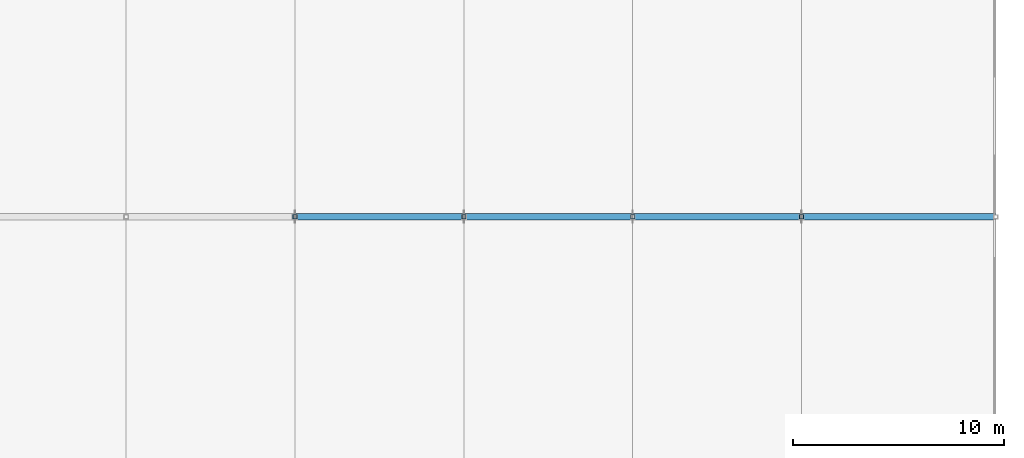
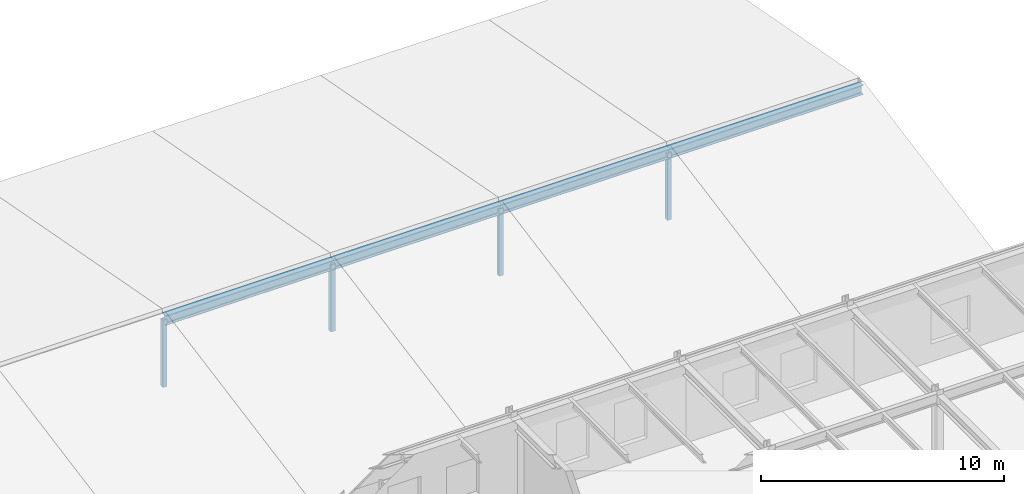
# One storey, part 28 of 63: 4 beams, 4 members.
"""IFC4 building model written with IfcOpenShell, lengths in metres."""

from ifc_helpers import new_model, si_unit, direction, frame, origin, origin_2d, place, context, subcontext, project, spatial, hollow_rectangle, i_section, extrude, material, material_profile, profile_set, type_object, element, save


model = new_model("IFC4")

# Units and contexts
model_context = context("Model", 3, precision=1e-05, world=origin(), true_north=direction((0.0, 1.0)))
body_context = subcontext(model_context, "Body", "Model", "MODEL_VIEW")
ifc_project = project(units=[si_unit("LENGTHUNIT", "METRE"), si_unit("AREAUNIT", "SQUARE_METRE"), si_unit("VOLUMEUNIT", "CUBIC_METRE"), si_unit("PLANEANGLEUNIT", "RADIAN"), si_unit("MASSUNIT", "GRAM", prefix="KILO")], contexts=[model_context])

# Site, building, storey
site_placement = place(None, origin())
site = spatial("IfcSite", under=ifc_project, at=site_placement, CompositionType="ELEMENT")
building_placement = place(site_placement, origin())
building = spatial("IfcBuilding", under=site, at=building_placement, Name="Valkorina Park Police Headquarters", CompositionType="ELEMENT")
storey_placement = place(building_placement, frame((0.0, 0.0, 9.89990234375)))
storey = spatial("IfcBuildingStorey", under=building, at=storey_placement, Name="L03", CompositionType="ELEMENT", Elevation=9.89990234375)

# Beams
ifc_material = material(Name="Steel S355", Category="steel")
ifc_material_profile_1 = material_profile(ifc_material, i_section(OverallWidth=0.300048828125, OverallDepth=0.489990234375, WebThickness=0.011962890625, FlangeThickness=0.02294921875, FilletRadius=0.027099609375, at=origin_2d()), Name="HEA 500")
ifc_profile_set_1 = profile_set([ifc_material_profile_1], Name="Steel S355")
beam_type = type_object("IfcBeamType", Name="BM-S355-HEA500-SPN", PredefinedType="SPANDREL", material=ifc_profile_set_1)
for number, where, z_axis, x_axis, name in (
    (1, (128.800048828125, 96.199951171875, 2.565185546875), (1.0, 0.0, 0.0), (0.0, 1.0, 0.0), "V3 Gymnasium Roof Ridge Beam 128"),
    (2, (136.800048828125, 96.199951171875, 2.565185546875), (1.0, 0.0, 0.0), (0.0, 1.0, 0.0), "V3 Gymnasium Roof Ridge Beam 136"),
    (3, (144.800048828125, 96.199951171875, 2.565185546875), (1.0, 0.0, 0.0), (0.0, 1.0, 0.0), "V3 Gymnasium Roof Ridge Beam 144"),
):
    element("IfcBeam", number, at=place(storey_placement, frame(where, z_axis=z_axis, x_axis=x_axis)), inside=storey, type_object=beam_type, Name=name, PredefinedType="SPANDREL", context=body_context, shape_type="SweptSolid", body=[
        extrude(i_section(OverallWidth=0.300048828125, OverallDepth=0.489990234375, WebThickness=0.011962890625, FlangeThickness=0.02294921875, FilletRadius=0.027099609375, at=origin_2d()), origin(), (0.0, 0.0, 1.0), 8.0),
    ])
beam_placement = place(storey_placement, frame((152.800048828125, 96.199951171875, 2.565185546875), z_axis=(1.0, 0.0, 0.0), x_axis=(0.0, 1.0, 0.0)))
element("IfcBeam", 4, at=beam_placement, inside=storey, type_object=beam_type, Name="V3 Gymnasium Roof Ridge Beam 152", PredefinedType="SPANDREL", context=body_context, shape_type="SweptSolid", body=[
    extrude(i_section(OverallWidth=0.300048828125, OverallDepth=0.489990234375, WebThickness=0.011962890625, FlangeThickness=0.02294921875, FilletRadius=0.027099609375, at=origin_2d()), origin(), (0.0, 0.0, 1.0), 9.199951171875),
])

# Members
ifc_material_profile_2 = material_profile(ifc_material, hollow_rectangle(XDim=0.199951171875, YDim=0.199951171875, WallThickness=0.012451171875, at=origin_2d()), Name="SHS 200x200x12.5")
ifc_profile_set_2 = profile_set([ifc_material_profile_2], Name="Steel S355")
member_type = type_object("IfcMemberType", Name="MB-S355-SHS200-GABLE", PredefinedType="BRACE", material=ifc_profile_set_2)
for number, where, z_axis, x_axis, name in (
    (5, (128.800048828125, 96.199951171875, -0.7998046875), (0.0, 0.0, 1.0), (1.0, 0.0, 0.0), "V3 Gymnasium Ridge King-Post 128"),
    (6, (136.800048828125, 96.199951171875, -0.7998046875), (0.0, 0.0, 1.0), (1.0, 0.0, 0.0), "V3 Gymnasium Ridge King-Post 136"),
    (7, (144.800048828125, 96.199951171875, -0.7998046875), (0.0, 0.0, 1.0), (1.0, 0.0, 0.0), "V3 Gymnasium Ridge King-Post 144"),
    (8, (152.800048828125, 96.199951171875, -0.7998046875), (0.0, 0.0, 1.0), (1.0, 0.0, 0.0), "V3 Gymnasium Ridge King-Post 152"),
):
    element("IfcMember", number, at=place(storey_placement, frame(where, z_axis=z_axis, x_axis=x_axis)), inside=storey, type_object=member_type, Name=name, PredefinedType="BRACE", context=body_context, shape_type="SweptSolid", body=[
        extrude(hollow_rectangle(XDim=0.199951171875, YDim=0.199951171875, WallThickness=0.012451171875, at=origin_2d()), origin(), (0.0, 0.0, 1.0), 3.3798828125),
    ])

save(model, "model.ifc")
